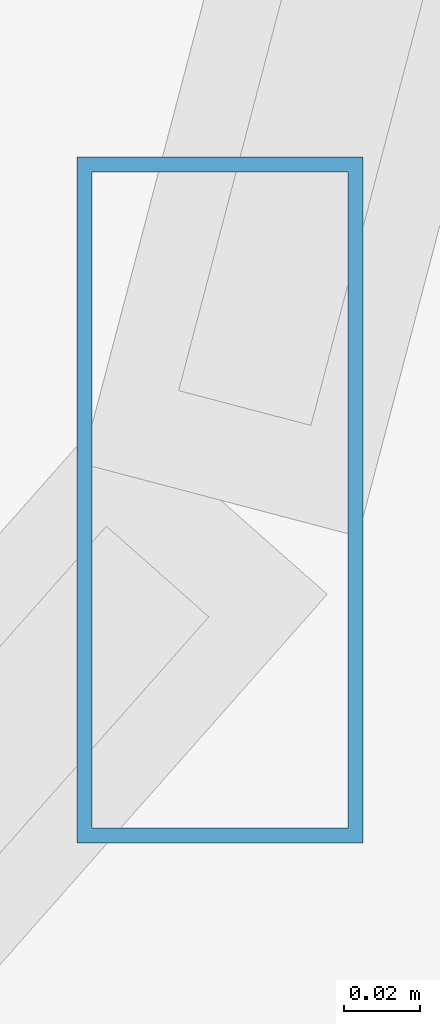
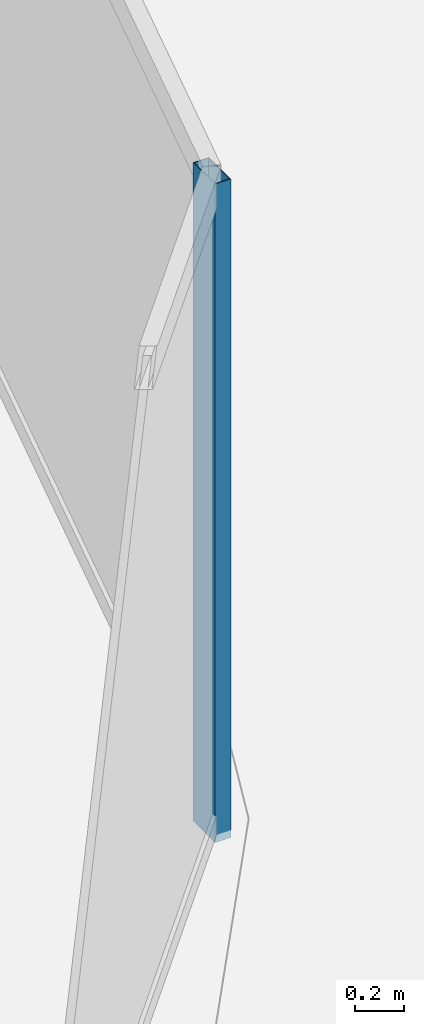
# One storey, part 13 of 30: 1 member, 1 element without a shape of its own.
"""IFC4 building model written with IfcOpenShell, lengths in metres."""

from ifc_helpers import new_model, si_unit, direction, frame, origin, origin_2d, place, context, subcontext, project, spatial, hollow_rectangle, extrude, material, material_profile, profile_set, type_object, element, aggregate, save


model = new_model("IFC4")

# Units and contexts
model_context = context("Model", 3, precision=1e-05, world=origin(), true_north=direction((0.0, 1.0)))
body_context = subcontext(model_context, "Body", "Model", "MODEL_VIEW")
ifc_project = project(units=[si_unit("LENGTHUNIT", "METRE"), si_unit("AREAUNIT", "SQUARE_METRE"), si_unit("VOLUMEUNIT", "CUBIC_METRE"), si_unit("PLANEANGLEUNIT", "RADIAN"), si_unit("MASSUNIT", "GRAM", prefix="KILO")], contexts=[model_context])

# Site, building, storey
site_placement = place(None, origin())
site = spatial("IfcSite", under=ifc_project, at=site_placement, CompositionType="ELEMENT")
building_placement = place(site_placement, origin())
building = spatial("IfcBuilding", under=site, at=building_placement, Name="Vorneva Point Tower", CompositionType="ELEMENT")
storey_placement = place(building_placement, frame((0.0, 0.0, 96.300048828125)))
storey = spatial("IfcBuildingStorey", under=building, at=storey_placement, Name="L25", CompositionType="ELEMENT", Elevation=96.300048828125)

# Curtain wall, member
ifc_material = material(Name="Pale anodised aluminium", Category="aluminium")
curtain_wall_type = type_object("IfcCurtainWallType", Name="CW-HTL-SYS", PredefinedType="NOTDEFINED", material=ifc_material)
curtain_wall_placement = place(storey_placement, origin())
curtain_wall = element("IfcCurtainWall", 1, at=curtain_wall_placement, inside=storey, type_object=curtain_wall_type, Name="L25 Unitised Curtain Wall CW-L25-R01", PredefinedType="NOTDEFINED")
ifc_material_profile = material_profile(ifc_material, hollow_rectangle(XDim=0.074951171875, YDim=0.179931640625, WallThickness=0.00390625, at=origin_2d()), Name="AL-MUL 180x75x4")
ifc_profile_set = profile_set([ifc_material_profile], Name="Pale anodised aluminium")
member_type = type_object("IfcMemberType", Name="CW-MUL-180", PredefinedType="MULLION", material=ifc_profile_set)
member_placement = place(storey_placement, frame((62.251708984375, 18.40380859375, -0.0400390625), z_axis=(0.0, 0.0, 1.0), x_axis=(1.0, 0.0, 0.0)))
member = element("IfcMember", 2, at=member_placement, type_object=member_type, Name="CW-L25-R01 Mullion 02", PredefinedType="MULLION", context=body_context, shape_type="SweptSolid", body=[
    extrude(hollow_rectangle(XDim=0.074951171875, YDim=0.179931640625, WallThickness=0.00390625, at=origin_2d()), origin(), (0.0, 0.0, 1.0), 3.31005859375),
])
aggregate(curtain_wall, [member])

save(model, "model.ifc")
